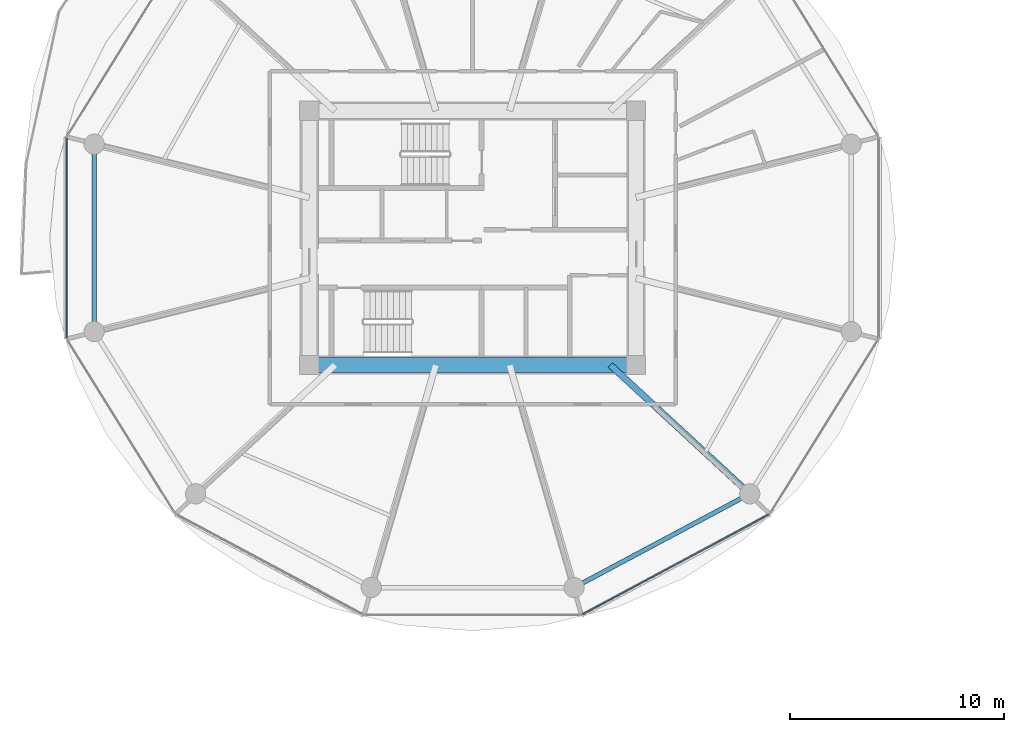
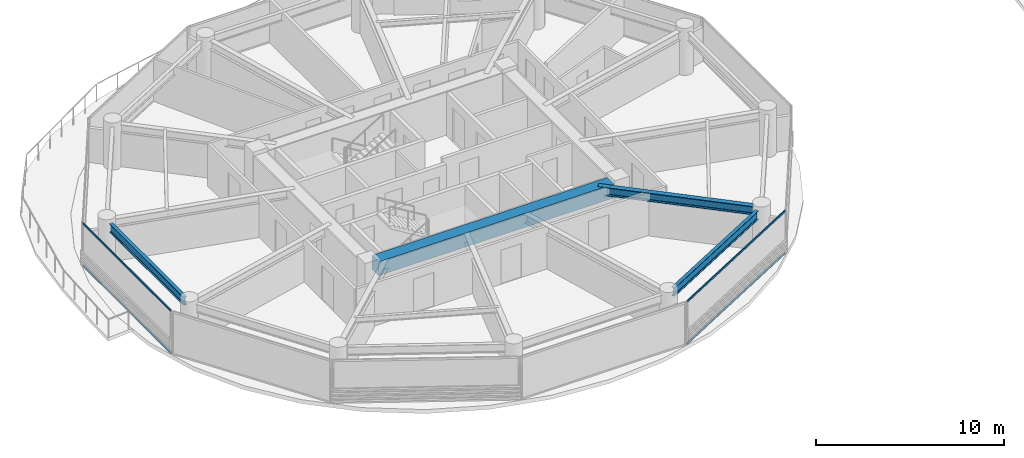
# One storey, part 3 of 25: 4 beams, 4 members, 2 elements without a shape of their own.
"""IFC4 building model written with IfcOpenShell, lengths in metres."""

from ifc_helpers import new_model, si_unit, direction, frame, origin, origin_2d, place, context, subcontext, project, spatial, rectangle, i_section, extrude, source, transform, mapped, material, layer, layer_set, material_profile, profile_set, type_object, type_shapes, element, aggregate, save


model = new_model("IFC4")

# Units and contexts
model_context = context("Model", 3, precision=1e-05, world=origin(), true_north=direction((0.0, 1.0)))
body_context = subcontext(model_context, "Body", "Model", "MODEL_VIEW")
ifc_project = project(units=[si_unit("LENGTHUNIT", "METRE"), si_unit("AREAUNIT", "SQUARE_METRE"), si_unit("VOLUMEUNIT", "CUBIC_METRE"), si_unit("PLANEANGLEUNIT", "RADIAN"), si_unit("MASSUNIT", "GRAM", prefix="KILO")], contexts=[model_context])

# Site, building, storey
site_placement = place(None, origin())
site = spatial("IfcSite", under=ifc_project, at=site_placement, CompositionType="ELEMENT")
building_placement = place(site_placement, origin())
building = spatial("IfcBuilding", under=site, at=building_placement, Name="Norrkilde Senior Care Towers", CompositionType="ELEMENT")
storey_placement = place(building_placement, frame((0.0, 0.0, 27.699951171875)))
storey = spatial("IfcBuildingStorey", under=building, at=storey_placement, Name="L07", CompositionType="ELEMENT", Elevation=27.699951171875)

# Beams
ifc_material_1 = material(Name="Concrete C60/75", Category="concrete")
ifc_material_profile_1 = material_profile(ifc_material_1, rectangle(XDim=0.699951171875, YDim=0.89990234375, at=origin_2d()), Name="RC BM 700x900")
ifc_profile_set_1 = profile_set([ifc_material_profile_1], Name="Concrete C60/75")
beam_type_1 = type_object("IfcBeamType", Name="Core Coupling Girder 700x900", PredefinedType="USERDEFINED", material=ifc_profile_set_1)
shared_shape_1 = source(origin(), body_context, "Body", "SweptSolid", [
    extrude(rectangle(XDim=0.699951171875, YDim=0.89990234375, at=origin_2d()), origin(), (0.0, 0.0, 1.0), 14.43994140625),
])
type_shapes(beam_type_1, [shared_shape_1])
beam_1_placement = place(storey_placement, frame((-35.219970703125, -5.949951171875, 2.340087890625), z_axis=(1.0, 0.0, 0.0), x_axis=(0.0, 1.0, 0.0)))
element("IfcBeam", 1, at=beam_1_placement, inside=storey, type_object=beam_type_1, Name="L07 Core W S Coupling Girder", ObjectType="GIRDER", PredefinedType="USERDEFINED", context=body_context, shape_type="MappedRepresentation", body=[
    mapped(shared_shape_1, transform((0.0, 0.0, 0.0), x_axis=(1.0, 0.0, 0.0), y_axis=(0.0, 1.0, 0.0), z_axis=(0.0, 0.0, 1.0), scale=1.0)),
])
ifc_material_2 = material(Name="Steel S355", Category="steel")
ifc_material_profile_2 = material_profile(ifc_material_2, i_section(OverallWidth=0.2099609375, OverallDepth=0.550048828125, WebThickness=0.010986328125, FlangeThickness=0.01708984375, FilletRadius=0.02392578125, at=origin_2d()), Name="IPE 550")
ifc_profile_set_2 = profile_set([ifc_material_profile_2], Name="Steel S355")
beam_type_2 = type_object("IfcBeamType", Name="Perimeter Ring Spandrel Z1 IPE550", PredefinedType="SPANDREL", material=ifc_profile_set_2)
shared_shape_2 = source(origin(), body_context, "Body", "SweptSolid", [
    extrude(i_section(OverallWidth=0.2099609375, OverallDepth=0.550048828125, WebThickness=0.010986328125, FlangeThickness=0.01708984375, FilletRadius=0.02392578125, at=origin_2d()), origin(), (0.0, 0.0, 1.0), 8.452880859375),
])
beam_2_placement = place(storey_placement, frame((-22.866943359375, -16.167724609375, 2.51513671875), z_axis=(0.882368931134, 0.470558252898, 0.0), x_axis=(-0.470558252898, 0.882368931134, 0.0)))
element("IfcBeam", 2, at=beam_2_placement, inside=storey, type_object=beam_type_2, Name="L07 Drum W Perimeter Spandrel 10", PredefinedType="SPANDREL", context=body_context, shape_type="MappedRepresentation", body=[
    mapped(shared_shape_2, transform((0.0, 0.0, 0.0), x_axis=(1.0, 0.0, 0.0), y_axis=(0.0, 1.0, 0.0), z_axis=(0.0, 0.0, 1.0), scale=1.0)),
])
ifc_material_profile_3 = material_profile(ifc_material_2, i_section(OverallWidth=0.300048828125, OverallDepth=0.550048828125, WebThickness=0.014892578125, FlangeThickness=0.029052734375, FilletRadius=0.027099609375, at=origin_2d()), Name="HEB 550")
ifc_profile_set_3 = profile_set([ifc_material_profile_3], Name="Steel S355")
beam_type_3 = type_object("IfcBeamType", Name="Radial Floor Beam Z1 HEB550", PredefinedType="BEAM", material=ifc_profile_set_3)
shared_shape_3 = source(origin(), body_context, "Body", "SweptSolid", [
    extrude(i_section(OverallWidth=0.300048828125, OverallDepth=0.550048828125, WebThickness=0.014892578125, FlangeThickness=0.029052734375, FilletRadius=0.027099609375, at=origin_2d()), origin(), (0.0, 0.0, 1.0), 8.459716796875),
])
type_shapes(beam_type_3, [shared_shape_3])
beam_3_placement = place(storey_placement, frame((-21.55859375, -5.949951171875, 2.51513671875), z_axis=(0.734573269108, -0.678529374686, 0.0), x_axis=(0.678529374686, 0.734573269108, 0.0)))
element("IfcBeam", 3, at=beam_3_placement, inside=storey, type_object=beam_type_3, Name="L07 Drum W Radial Floor Beam 11", PredefinedType="BEAM", context=body_context, shape_type="MappedRepresentation", body=[
    mapped(shared_shape_3, transform((0.0, 0.0, 0.0), x_axis=(1.0, 0.0, 0.0), y_axis=(0.0, 1.0, 0.0), z_axis=(0.0, 0.0, 1.0), scale=1.0)),
])
shared_shape_4 = source(origin(), body_context, "Body", "SweptSolid", [
    extrude(i_section(OverallWidth=0.2099609375, OverallDepth=0.550048828125, WebThickness=0.010986328125, FlangeThickness=0.01708984375, FilletRadius=0.02392578125, at=origin_2d()), origin(), (0.0, 0.0, 1.0), 7.90380859375),
])
type_shapes(beam_type_2, [shared_shape_2, shared_shape_4])
beam_4_placement = place(storey_placement, frame((-45.724853515625, 3.951904296875, 2.51513671875), z_axis=(0.0, -1.0, 0.0), x_axis=(1.0, 0.0, 0.0)))
element("IfcBeam", 4, at=beam_4_placement, inside=storey, type_object=beam_type_2, Name="L07 Drum W Perimeter Spandrel 06", PredefinedType="SPANDREL", context=body_context, shape_type="MappedRepresentation", body=[
    mapped(shared_shape_4, transform((0.0, 0.0, 0.0), x_axis=(1.0, 0.0, 0.0), y_axis=(0.0, 1.0, 0.0), z_axis=(0.0, 0.0, 1.0), scale=1.0)),
])

# Curtain wall, members
ifc_material_3 = material(Name="Triple Low-E Insulated Glazing", Category="glass")
ifc_layer = layer(ifc_material_3, 0.199951171875)
ifc_layer_set = layer_set([ifc_layer], Name="Triple Low-E Insulated Glazing")
curtain_wall_type = type_object("IfcCurtainWallType", Name="CW2 Zone 1 Memory Care Curtain Wall", PredefinedType="NOTDEFINED", material=ifc_layer_set)
curtain_wall_1_placement = place(storey_placement, origin())
curtain_wall_1 = element("IfcCurtainWall", 5, at=curtain_wall_1_placement, inside=storey, type_object=curtain_wall_type, Name="L07 Drum W Curtain Wall 09", PredefinedType="NOTDEFINED")
ifc_material_4 = material(Name="Anodised Aluminium", Category="aluminium")
ifc_material_profile_4 = material_profile(ifc_material_4, rectangle(XDim=0.06005859375, YDim=0.1201171875, at=origin_2d()), Name="ALU TRAN 60x120")
ifc_profile_set_4 = profile_set([ifc_material_profile_4], Name="Anodised Aluminium")
member_type = type_object("IfcMemberType", Name="Curtain Wall Transom Typical 60x120", PredefinedType="USERDEFINED", material=ifc_profile_set_4)
shared_shape_5 = source(origin(), body_context, "Body", "SweptSolid", [
    extrude(rectangle(XDim=0.06005859375, YDim=0.1201171875, at=origin_2d()), origin(), (0.0, 0.0, 1.0), 9.880859375),
])
member_1_placement = place(storey_placement, frame((-14.141357421875, -12.95654296875, 0.030029296875), z_axis=(-0.881267204043, -0.47261836092, 0.0), x_axis=(0.47261836092, -0.881267204043, 0.0)))
member_1 = element("IfcMember", 6, at=member_1_placement, type_object=member_type, Name="CW-2 transom 1.1", ObjectType="TRANSOM", PredefinedType="USERDEFINED", context=body_context, shape_type="MappedRepresentation", body=[
    mapped(shared_shape_5, transform((0.0, 0.0, 0.0), x_axis=(1.0, 0.0, 0.0), y_axis=(0.0, 1.0, 0.0), z_axis=(0.0, 0.0, 1.0), scale=1.0)),
])
member_2_placement = place(storey_placement, frame((-14.141357421875, -12.95654296875, 2.760009765625), z_axis=(-0.881267204043, -0.47261836092, 0.0), x_axis=(0.47261836092, -0.881267204043, 0.0)))
member_2 = element("IfcMember", 7, at=member_2_placement, type_object=member_type, Name="CW-2 transom 1.2", ObjectType="TRANSOM", PredefinedType="USERDEFINED", context=body_context, shape_type="MappedRepresentation", body=[
    mapped(shared_shape_5, transform((0.0, 0.0, 0.0), x_axis=(1.0, 0.0, 0.0), y_axis=(0.0, 1.0, 0.0), z_axis=(0.0, 0.0, 1.0), scale=1.0)),
])
aggregate(curtain_wall_1, [member_1, member_2])

curtain_wall_2_placement = place(storey_placement, origin())
curtain_wall_2 = element("IfcCurtainWall", 8, at=curtain_wall_2_placement, inside=storey, type_object=curtain_wall_type, Name="L07 Drum W Curtain Wall 05", PredefinedType="NOTDEFINED")
shared_shape_6 = source(origin(), body_context, "Body", "SweptSolid", [
    extrude(rectangle(XDim=0.06005859375, YDim=0.1201171875, at=origin_2d()), origin(), (0.0, 0.0, 1.0), 9.33251953125),
])
type_shapes(member_type, [shared_shape_5, shared_shape_6])
member_3_placement = place(storey_placement, frame((-47.009521484375, -4.666259765625, 0.030029296875), z_axis=(0.0, 1.0, 0.0), x_axis=(-1.0, 0.0, 0.0)))
member_3 = element("IfcMember", 9, at=member_3_placement, type_object=member_type, Name="CW-2 transom 1.1", ObjectType="TRANSOM", PredefinedType="USERDEFINED", context=body_context, shape_type="MappedRepresentation", body=[
    mapped(shared_shape_6, transform((0.0, 0.0, 0.0), x_axis=(1.0, 0.0, 0.0), y_axis=(0.0, 1.0, 0.0), z_axis=(0.0, 0.0, 1.0), scale=1.0)),
])
member_4_placement = place(storey_placement, frame((-47.009521484375, -4.666259765625, 2.760009765625), z_axis=(0.0, 1.0, 0.0), x_axis=(-1.0, 0.0, 0.0)))
member_4 = element("IfcMember", 10, at=member_4_placement, type_object=member_type, Name="CW-2 transom 1.2", ObjectType="TRANSOM", PredefinedType="USERDEFINED", context=body_context, shape_type="MappedRepresentation", body=[
    mapped(shared_shape_6, transform((0.0, 0.0, 0.0), x_axis=(1.0, 0.0, 0.0), y_axis=(0.0, 1.0, 0.0), z_axis=(0.0, 0.0, 1.0), scale=1.0)),
])
aggregate(curtain_wall_2, [member_3, member_4])

save(model, "model.ifc")
